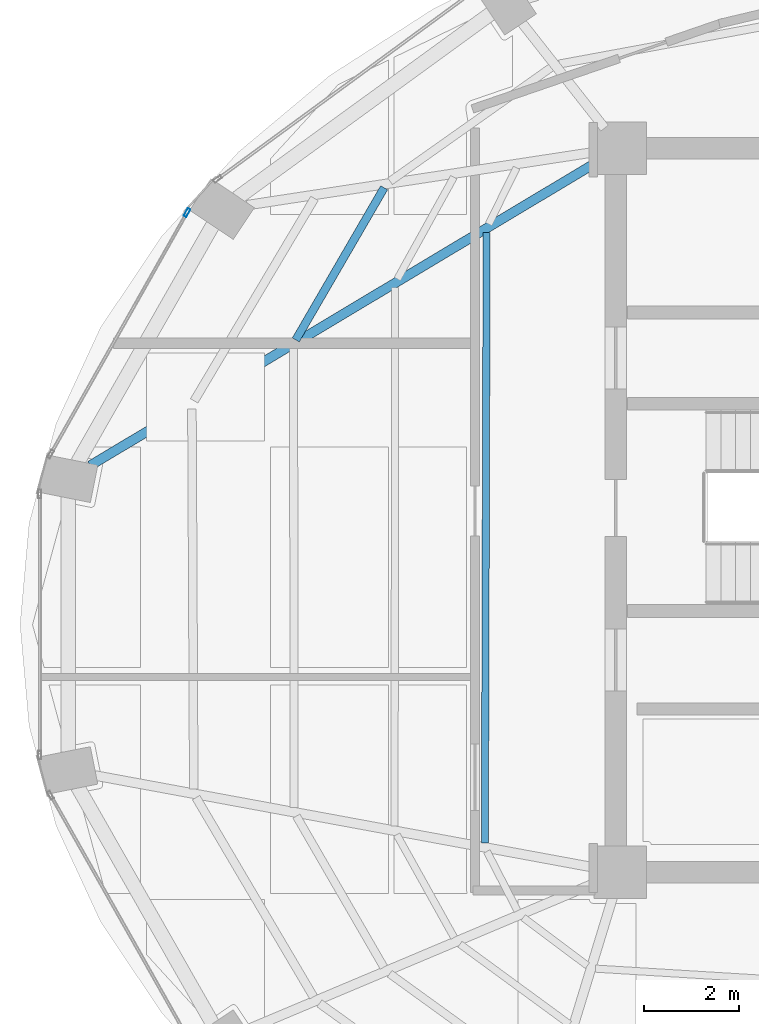
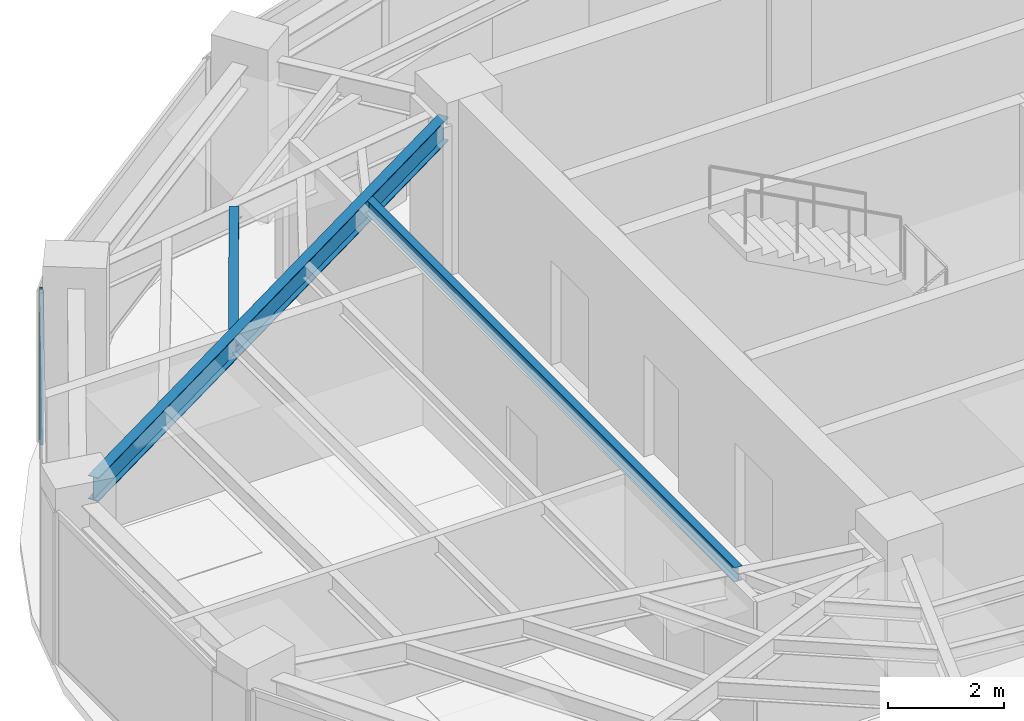
# One storey, part 9 of 22: 3 beams, 1 member, 1 element without a shape of its own.
"""IFC4 building model written with IfcOpenShell, lengths in metres."""

from ifc_helpers import new_model, si_unit, direction, frame, origin, origin_2d, place, context, subcontext, project, spatial, hollow_rectangle, i_section, extrude, material, layer, layer_set, material_profile, profile_set, type_object, element, aggregate, save


model = new_model("IFC4")

# Units and contexts
model_context = context("Model", 3, precision=1e-05, world=origin(), true_north=direction((0.0, 1.0)))
body_context = subcontext(model_context, "Body", "Model", "MODEL_VIEW")
ifc_project = project(units=[si_unit("LENGTHUNIT", "METRE"), si_unit("AREAUNIT", "SQUARE_METRE"), si_unit("VOLUMEUNIT", "CUBIC_METRE"), si_unit("PLANEANGLEUNIT", "RADIAN"), si_unit("MASSUNIT", "GRAM", prefix="KILO")], contexts=[model_context])

# Site, building, storey
site_placement = place(None, origin())
site = spatial("IfcSite", under=ifc_project, at=site_placement, CompositionType="ELEMENT")
building_placement = place(site_placement, origin())
building = spatial("IfcBuilding", under=site, at=building_placement, Name="Lazwardi Medical Tower", CompositionType="ELEMENT")
storey_placement = place(building_placement, frame((0.0, 0.0, 242.256103515625)))
storey = spatial("IfcBuildingStorey", under=building, at=storey_placement, Name="L63", CompositionType="ELEMENT", Elevation=242.256103515625)

# Beams
ifc_material_1 = material(Name="Steel S355", Category="steel")
ifc_material_profile_1 = material_profile(ifc_material_1, i_section(OverallWidth=0.199951171875, OverallDepth=0.5, WebThickness=0.01025390625, FlangeThickness=0.01611328125, at=origin_2d()), Name="IPE 500")
ifc_profile_set_1 = profile_set([ifc_material_profile_1], Name="Steel S355")
beam_type_1 = type_object("IfcBeamType", Name="BM-RG-W3", PredefinedType="BEAM", material=ifc_profile_set_1)
beam_1_placement = place(storey_placement, frame((15.27392578125, 28.937744140625, 2.947998046875), z_axis=(0.857944804603, 0.513741873176, 0.0), x_axis=(-0.513741873176, 0.857944804603, 0.0)))
element("IfcBeam", 1, at=beam_1_placement, inside=storey, type_object=beam_type_1, Name="Radial girder RG-04 R12 L63", PredefinedType="BEAM", context=body_context, shape_type="SweptSolid", body=[
    extrude(i_section(OverallWidth=0.199951171875, OverallDepth=0.5, WebThickness=0.01025390625, FlangeThickness=0.01611328125, at=origin_2d()), origin(), (0.0, 0.0, 1.0), 12.43310546875),
])
ifc_material_profile_2 = material_profile(ifc_material_1, i_section(OverallWidth=0.169921875, OverallDepth=0.360107421875, WebThickness=0.008056640625, FlangeThickness=0.0126953125, at=origin_2d()), Name="IPE 360")
ifc_profile_set_2 = profile_set([ifc_material_profile_2], Name="Steel S355")
beam_type_2 = type_object("IfcBeamType", Name="BM-SJ-02", PredefinedType="JOIST", material=ifc_profile_set_2)
beam_2_placement = place(storey_placement, frame((21.4423828125, 34.767578125, 3.017822265625), z_axis=(-0.50218018565, -0.864763008657, 0.0), x_axis=(0.864763008657, -0.50218018565, 0.0)))
element("IfcBeam", 2, at=beam_2_placement, inside=storey, type_object=beam_type_2, Name="Secondary joist SJ-02 R2 B11 L63", PredefinedType="JOIST", context=body_context, shape_type="SweptSolid", body=[
    extrude(i_section(OverallWidth=0.169921875, OverallDepth=0.360107421875, WebThickness=0.008056640625, FlangeThickness=0.0126953125, at=origin_2d()), origin(), (0.0, 0.0, 1.0), 3.69189453125),
])
ifc_material_profile_3 = material_profile(ifc_material_1, i_section(OverallWidth=0.14990234375, OverallDepth=0.300048828125, WebThickness=0.007080078125, FlangeThickness=0.0107421875, at=origin_2d()), Name="IPE 300")
ifc_profile_set_3 = profile_set([ifc_material_profile_3], Name="Steel S355")
beam_type_3 = type_object("IfcBeamType", Name="BM-SJ-03", PredefinedType="JOIST", material=ifc_profile_set_3)
beam_3_placement = place(storey_placement, frame((23.593994140625, 33.824951171875, 3.0478515625), z_axis=(-0.002897930673, -0.99999580099, 0.0), x_axis=(0.99999580099, -0.002897930673, 0.0)))
element("IfcBeam", 3, at=beam_3_placement, inside=storey, type_object=beam_type_3, Name="Secondary joist SJ-03 R4 B12 L63", PredefinedType="JOIST", context=body_context, shape_type="SweptSolid", body=[
    extrude(i_section(OverallWidth=0.14990234375, OverallDepth=0.300048828125, WebThickness=0.007080078125, FlangeThickness=0.0107421875, at=origin_2d()), origin(), (0.0, 0.0, 1.0), 12.805419921875),
])

# Curtain wall, member
ifc_material_2 = material(Name="Anodised bronze aluminium and solar control glazing", Category="aluminium")
ifc_layer = layer(ifc_material_2, 0.18994140625)
ifc_layer_set = layer_set([ifc_layer], Name="Anodised bronze aluminium and solar control glazing")
curtain_wall_type = type_object("IfcCurtainWallType", Name="CW-SYS-04", PredefinedType="NOTDEFINED", material=ifc_layer_set)
curtain_wall_placement = place(storey_placement, origin())
curtain_wall = element("IfcCurtainWall", 4, at=curtain_wall_placement, inside=storey, type_object=curtain_wall_type, Name="L63 Unitised bronze curtain wall CW-04", PredefinedType="NOTDEFINED")
ifc_material_3 = material(Name="Anodised bronze aluminium", Category="aluminium")
ifc_material_profile_4 = material_profile(ifc_material_3, hollow_rectangle(XDim=0.06494140625, YDim=0.179931640625, WallThickness=0.00390625, at=origin_2d()), Name="ALU-MULLION 180x65x4")
ifc_profile_set_4 = profile_set([ifc_material_profile_4], Name="Anodised bronze aluminium")
member_type = type_object("IfcMemberType", Name="CW-MUL-03", PredefinedType="MULLION", material=ifc_profile_set_4)
member_placement = place(storey_placement, frame((17.3056640625, 34.24560546875, 0.0), z_axis=(0.0, 0.0, 1.0), x_axis=(0.870651436011, -0.491900474661, 0.0)))
member = element("IfcMember", 5, at=member_placement, type_object=member_type, Name="CW-04 mullion 1", PredefinedType="MULLION", context=body_context, shape_type="SweptSolid", body=[
    extrude(hollow_rectangle(XDim=0.06494140625, YDim=0.179931640625, WallThickness=0.00390625, at=origin_2d()), origin(), (0.0, 0.0, 1.0), 3.197998046875),
])
aggregate(curtain_wall, [member])

save(model, "model.ifc")
